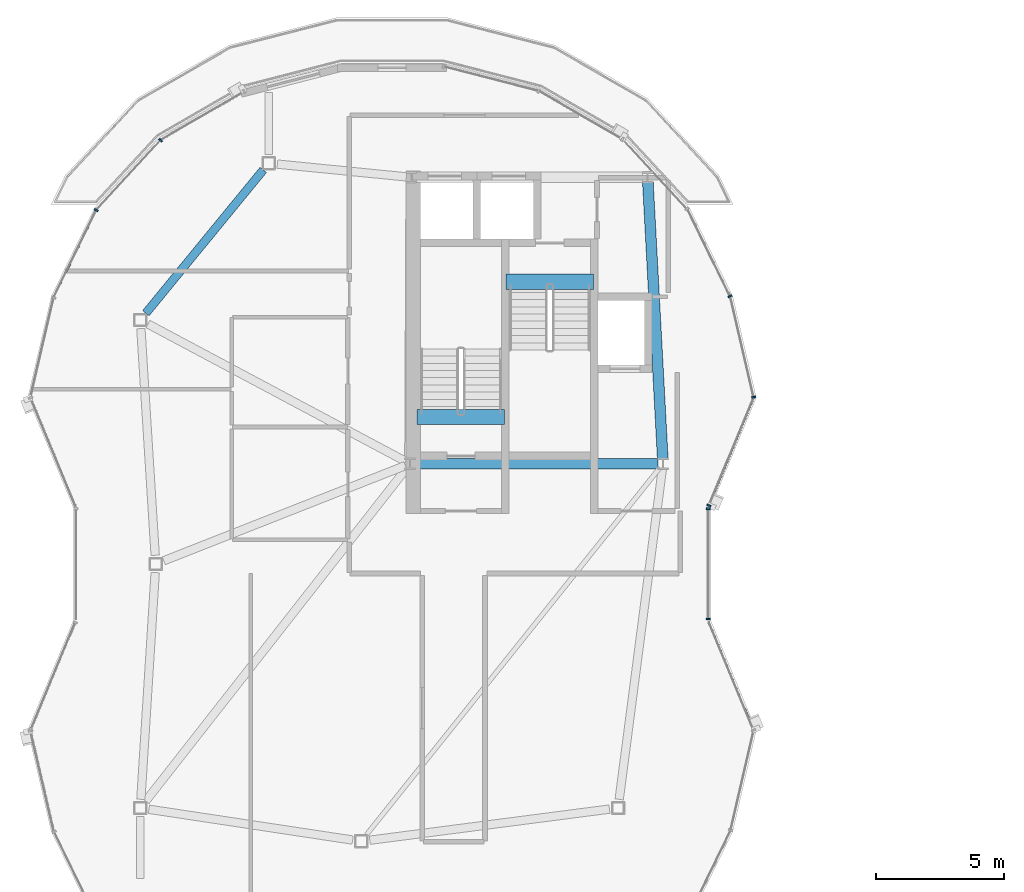
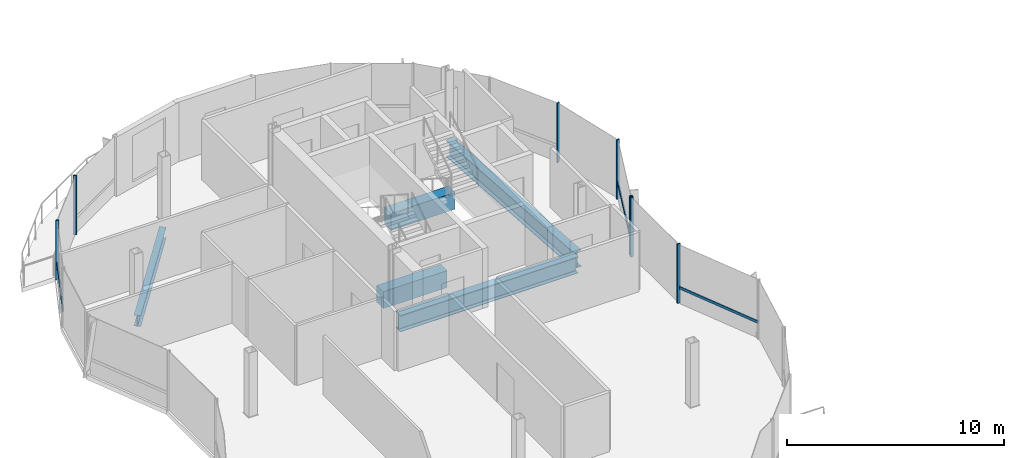
# One storey, part 5 of 20: 10 members, 5 beams, 3 elements without a shape of their own.
"""IFC4 building model written with IfcOpenShell, lengths in metres."""

from ifc_helpers import new_model, si_unit, direction, frame, origin, origin_2d, place, context, subcontext, project, spatial, rectangle, i_section, extrude, material, material_profile, profile_set, type_object, element, aggregate, save


model = new_model("IFC4")

# Units and contexts
model_context = context("Model", 3, precision=1e-05, world=origin(), true_north=direction((0.0, 1.0)))
body_context = subcontext(model_context, "Body", "Model", "MODEL_VIEW")
ifc_project = project(units=[si_unit("LENGTHUNIT", "METRE"), si_unit("AREAUNIT", "SQUARE_METRE"), si_unit("VOLUMEUNIT", "CUBIC_METRE"), si_unit("PLANEANGLEUNIT", "RADIAN"), si_unit("MASSUNIT", "GRAM", prefix="KILO"), si_unit("THERMODYNAMICTEMPERATUREUNIT", "KELVIN"), si_unit("POWERUNIT", "WATT")], contexts=[model_context])

# Site, building, storey
site_placement = place(None, origin())
site = spatial("IfcSite", under=ifc_project, at=site_placement, CompositionType="ELEMENT")
building_placement = place(site_placement, origin())
building = spatial("IfcBuilding", under=site, at=building_placement, Name="Cundina Bronze Exchange", CompositionType="ELEMENT")
storey_placement = place(building_placement, frame((0.0, 0.0, 282.800048828125)))
storey = spatial("IfcBuildingStorey", under=building, at=storey_placement, Name="L75", CompositionType="ELEMENT", Elevation=282.800048828125)

# Beams
ifc_material_1 = material(Name="Concrete C60/75", Category="concrete")
ifc_material_profile_1 = material_profile(ifc_material_1, rectangle(XDim=0.60009765625, YDim=0.949951171875, at=origin_2d()), Name="RC600X950", Category="concrete")
ifc_profile_set_1 = profile_set([ifc_material_profile_1], Name="Concrete C60/75")
beam_type_1 = type_object("IfcBeamType", Name="BM-COUP-RC950", PredefinedType="LINTEL", material=ifc_profile_set_1)
beam_1_placement = place(storey_placement, frame((-31.02001953125, 5.719970703125, -0.47509765625), z_axis=(1.0, 0.0, 0.0), x_axis=(0.0, 1.0, 0.0)))
element("IfcBeam", 1, at=beam_1_placement, inside=storey, type_object=beam_type_1, Name="L75 Stair W1 Landing Header Beam", PredefinedType="LINTEL", context=body_context, shape_type="SweptSolid", body=[
    extrude(rectangle(XDim=0.60009765625, YDim=0.949951171875, at=origin_2d()), origin(), (0.0, 0.0, 1.0), 3.39990234375),
])
beam_2_placement = place(storey_placement, frame((-27.56005859375, 10.97998046875, -0.47509765625), z_axis=(1.0, 0.0, 0.0), x_axis=(0.0, 1.0, 0.0)))
element("IfcBeam", 2, at=beam_2_placement, inside=storey, type_object=beam_type_1, Name="L75 Stair W2 Landing Header Beam", PredefinedType="LINTEL", context=body_context, shape_type="SweptSolid", body=[
    extrude(rectangle(XDim=0.60009765625, YDim=0.949951171875, at=origin_2d()), origin(), (0.0, 0.0, 1.0), 3.400146484375),
])
ifc_material_2 = material(Name="Steel ASTM A992 Grade 50", Category="steel")
ifc_material_profile_2 = material_profile(ifc_material_2, i_section(OverallWidth=0.324951171875, OverallDepth=0.615966796875, WebThickness=0.013916015625, FlangeThickness=0.021484375, FilletRadius=0.01611328125, at=origin_2d()), Name="W24X117", Category="steel")
ifc_profile_set_2 = profile_set([ifc_material_profile_2], Name="Steel ASTM A992 Grade 50")
beam_type_2 = type_object("IfcBeamType", Name="BM-RING-W24", PredefinedType="USERDEFINED", material=ifc_profile_set_2)
beam_3_placement = place(storey_placement, frame((-37.014404296875, 15.338623046875, -0.568115234375), z_axis=(-0.633916003783, -0.773401900791, 0.0), x_axis=(0.773401900791, -0.633916003783, 0.0)))
element("IfcBeam", 3, at=beam_3_placement, inside=storey, type_object=beam_type_2, Name="L75 W Inner Structural Ring Girder 02", ObjectType="GIRDER", PredefinedType="USERDEFINED", context=body_context, shape_type="SweptSolid", body=[
    extrude(i_section(OverallWidth=0.324951171875, OverallDepth=0.615966796875, WebThickness=0.013916015625, FlangeThickness=0.021484375, FilletRadius=0.01611328125, at=origin_2d()), origin(), (0.0, 0.0, 1.0), 7.211181640625),
])
ifc_material_profile_3 = material_profile(ifc_material_2, i_section(OverallWidth=0.41796875, OverallDepth=0.927001953125, WebThickness=0.019287109375, FlangeThickness=0.031982421875, FilletRadius=0.02392578125, at=origin_2d()), Name="W36X231", Category="steel")
ifc_profile_set_3 = profile_set([ifc_material_profile_3], Name="Steel ASTM A992 Grade 50")
beam_type_3 = type_object("IfcBeamType", Name="BM-WRN-W36B", PredefinedType="USERDEFINED", material=ifc_profile_set_3)
beam_4_placement = place(storey_placement, frame((-31.10400390625, 3.89990234375, -0.7236328125), z_axis=(1.0, 0.0, 0.0), x_axis=(0.0, 1.0, 0.0)))
element("IfcBeam", 4, at=beam_4_placement, inside=storey, type_object=beam_type_3, Name="L75 W Core Perimeter Tie Girder 1", ObjectType="GIRDER", PredefinedType="USERDEFINED", context=body_context, shape_type="SweptSolid", body=[
    extrude(i_section(OverallWidth=0.41796875, OverallDepth=0.927001953125, WebThickness=0.019287109375, FlangeThickness=0.031982421875, FilletRadius=0.02392578125, at=origin_2d()), origin(), (0.0, 0.0, 1.0), 9.4580078125),
])
beam_5_placement = place(storey_placement, frame((-21.46044921875, 4.095703125, -0.7236328125), z_axis=(-0.053749317644, 0.998554460634, 0.0), x_axis=(-0.998554460634, -0.053749317644, 0.0)))
element("IfcBeam", 5, at=beam_5_placement, inside=storey, type_object=beam_type_3, Name="L75 W Core Perimeter Tie Girder 2", ObjectType="GIRDER", PredefinedType="USERDEFINED", context=body_context, shape_type="SweptSolid", body=[
    extrude(i_section(OverallWidth=0.41796875, OverallDepth=0.927001953125, WebThickness=0.019287109375, FlangeThickness=0.031982421875, FilletRadius=0.02392578125, at=origin_2d()), origin(), (0.0, 0.0, 1.0), 10.774169921875),
])

# Curtain wall, members
ifc_material_3 = material(Name="Anodised Bronze Aluminium 6063-T6", Category="aluminium")
curtain_wall_type = type_object("IfcCurtainWallType", Name="CWS-CRN-TMD", PredefinedType="NOTDEFINED", material=ifc_material_3)
curtain_wall_1_placement = place(storey_placement, origin())
curtain_wall_1 = element("IfcCurtainWall", 6, at=curtain_wall_1_placement, inside=storey, type_object=curtain_wall_type, Name="L75 CW-07 Curtain Wall Run CWR-L75-W1", PredefinedType="NOTDEFINED")
ifc_material_profile_4 = material_profile(ifc_material_3, rectangle(XDim=0.06494140625, YDim=0.159912109375, at=origin_2d()), Name="AL65X160", Category="aluminium")
ifc_profile_set_4 = profile_set([ifc_material_profile_4], Name="Anodised Bronze Aluminium 6063-T6")
member_type_1 = type_object("IfcMemberType", Name="CWM-MUL-160", PredefinedType="MULLION", material=ifc_profile_set_4)
member_1_placement = place(storey_placement, frame((-19.664794921875, 2.275390625, 0.0), z_axis=(0.0, 0.0, 1.0), x_axis=(0.383167122078, 0.9236790333, 0.0)))
member_1 = element("IfcMember", 7, at=member_1_placement, type_object=member_type_1, Name="CW-07 Mullion 1", PredefinedType="MULLION", context=body_context, shape_type="SweptSolid", body=[
    extrude(rectangle(XDim=0.06494140625, YDim=0.159912109375, at=origin_2d()), origin(), (0.0, 0.0, 1.0), 3.33984375),
])
member_2_placement = place(storey_placement, frame((-17.922607421875, 6.49462890625, 0.0), z_axis=(0.0, 0.0, 1.0), x_axis=(-0.226311311886, 0.974055024171, 0.0)))
member_2 = element("IfcMember", 8, at=member_2_placement, type_object=member_type_1, Name="CW-07 Mullion 2", PredefinedType="MULLION", context=body_context, shape_type="SweptSolid", body=[
    extrude(rectangle(XDim=0.06494140625, YDim=0.159912109375, at=origin_2d()), origin(), (0.0, 0.0, 1.0), 3.33984375),
])
member_3_placement = place(storey_placement, frame((-18.84375, 10.4248046875, 0.0), z_axis=(0.0, 0.0, 1.0), x_axis=(-0.439312121178, 0.898334492373, 0.0)))
member_3 = element("IfcMember", 9, at=member_3_placement, type_object=member_type_1, Name="CW-07 Mullion 3", PredefinedType="MULLION", context=body_context, shape_type="SweptSolid", body=[
    extrude(rectangle(XDim=0.06494140625, YDim=0.159912109375, at=origin_2d()), origin(), (0.0, 0.0, 1.0), 3.33984375),
])

curtain_wall_2_placement = place(storey_placement, origin())
curtain_wall_2 = element("IfcCurtainWall", 10, at=curtain_wall_2_placement, inside=storey, type_object=curtain_wall_type, Name="L75 CW-07 Curtain Wall Run CWR-L75-W2", PredefinedType="NOTDEFINED")
member_4_placement = place(storey_placement, frame((-41.013427734375, 16.49462890625, 0.0), z_axis=(0.0, 0.0, 1.0), x_axis=(-0.679057031084, -0.734085518544, 0.0)))
member_4 = element("IfcMember", 11, at=member_4_placement, type_object=member_type_1, Name="CW-07 Mullion 2", PredefinedType="MULLION", context=body_context, shape_type="SweptSolid", body=[
    extrude(rectangle(XDim=0.06494140625, YDim=0.159912109375, at=origin_2d()), origin(), (0.0, 0.0, 1.0), 3.33984375),
])
member_5_placement = place(storey_placement, frame((-43.518310546875, 13.774169921875, 0.0), z_axis=(0.0, 0.0, 1.0), x_axis=(-0.439312121178, -0.898334492373, 0.0)))
member_5 = element("IfcMember", 12, at=member_5_placement, type_object=member_type_1, Name="CW-07 Mullion 3", PredefinedType="MULLION", context=body_context, shape_type="SweptSolid", body=[
    extrude(rectangle(XDim=0.06494140625, YDim=0.159912109375, at=origin_2d()), origin(), (0.0, 0.0, 1.0), 3.33984375),
])

curtain_wall_3_placement = place(storey_placement, origin())
curtain_wall_3 = element("IfcCurtainWall", 13, at=curtain_wall_3_placement, inside=storey, type_object=curtain_wall_type, Name="L75 CW-07 Curtain Wall Run CWR-L75-W4", PredefinedType="NOTDEFINED")
member_6_placement = place(storey_placement, frame((-19.68994140625, -2.1494140625, 0.0), z_axis=(0.0, 0.0, 1.0), x_axis=(0.0, 1.0, 0.0)))
member_6 = element("IfcMember", 14, at=member_6_placement, type_object=member_type_1, Name="CW-07 Mullion 6", PredefinedType="MULLION", context=body_context, shape_type="SweptSolid", body=[
    extrude(rectangle(XDim=0.06494140625, YDim=0.159912109375, at=origin_2d()), origin(), (0.0, 0.0, 1.0), 3.33984375),
])
member_7_placement = place(storey_placement, frame((-19.68994140625, 2.1494140625, 0.0), z_axis=(0.0, 0.0, 1.0), x_axis=(0.0, 1.0, 0.0)))
member_7 = element("IfcMember", 15, at=member_7_placement, type_object=member_type_1, Name="CW-07 End Mullion", PredefinedType="MULLION", context=body_context, shape_type="SweptSolid", body=[
    extrude(rectangle(XDim=0.06494140625, YDim=0.159912109375, at=origin_2d()), origin(), (0.0, 0.0, 1.0), 3.33984375),
])

# Member
ifc_material_profile_5 = material_profile(ifc_material_3, rectangle(XDim=0.06494140625, YDim=0.14990234375, at=origin_2d()), Name="AL65X150", Category="aluminium")
ifc_profile_set_5 = profile_set([ifc_material_profile_5], Name="Anodised Bronze Aluminium 6063-T6")
member_type_2 = type_object("IfcMemberType", Name="CWM-TRN-150", PredefinedType="USERDEFINED", material=ifc_profile_set_5)
member_8_placement = place(storey_placement, frame((-19.651123046875, 2.308349609375, 0.919921875), z_axis=(0.383217564708, 0.923658106714, 0.0), x_axis=(-0.923658106714, 0.383217564708, 0.0)))
member_8 = element("IfcMember", 16, at=member_8_placement, type_object=member_type_2, Name="CW-07 Spandrel Transom 1", ObjectType="TRANSOM", PredefinedType="USERDEFINED", context=body_context, shape_type="SweptSolid", body=[
    extrude(rectangle(XDim=0.06494140625, YDim=0.14990234375, at=origin_2d()), origin(), (0.0, 0.0, 1.0), 4.54052734375),
])

aggregate(curtain_wall_1, [member_1, member_8, member_2, member_3])

member_9_placement = place(storey_placement, frame((-43.533935546875, 13.7421875, 0.919921875), z_axis=(-0.439312304643, -0.898334402653, 0.0), x_axis=(0.898334402653, -0.439312304643, 0.0)))
member_9 = element("IfcMember", 17, at=member_9_placement, type_object=member_type_2, Name="CW-07 Spandrel Transom 3", ObjectType="TRANSOM", PredefinedType="USERDEFINED", context=body_context, shape_type="SweptSolid", body=[
    extrude(rectangle(XDim=0.06494140625, YDim=0.14990234375, at=origin_2d()), origin(), (0.0, 0.0, 1.0), 3.728515625),
])

aggregate(curtain_wall_2, [member_4, member_5, member_9])

member_10_placement = place(storey_placement, frame((-17.9384765625, -6.436279296875, 0.919921875), z_axis=(-0.383244403606, 0.923646971036, 0.0), x_axis=(-0.923646971036, -0.383244403606, 0.0)))
member_10 = element("IfcMember", 18, at=member_10_placement, type_object=member_type_2, Name="CW-07 Spandrel Transom 5", ObjectType="TRANSOM", PredefinedType="USERDEFINED", context=body_context, shape_type="SweptSolid", body=[
    extrude(rectangle(XDim=0.06494140625, YDim=0.14990234375, at=origin_2d()), origin(), (0.0, 0.0, 1.0), 4.540771484375),
])

aggregate(curtain_wall_3, [member_10, member_6, member_7])

save(model, "model.ifc")
